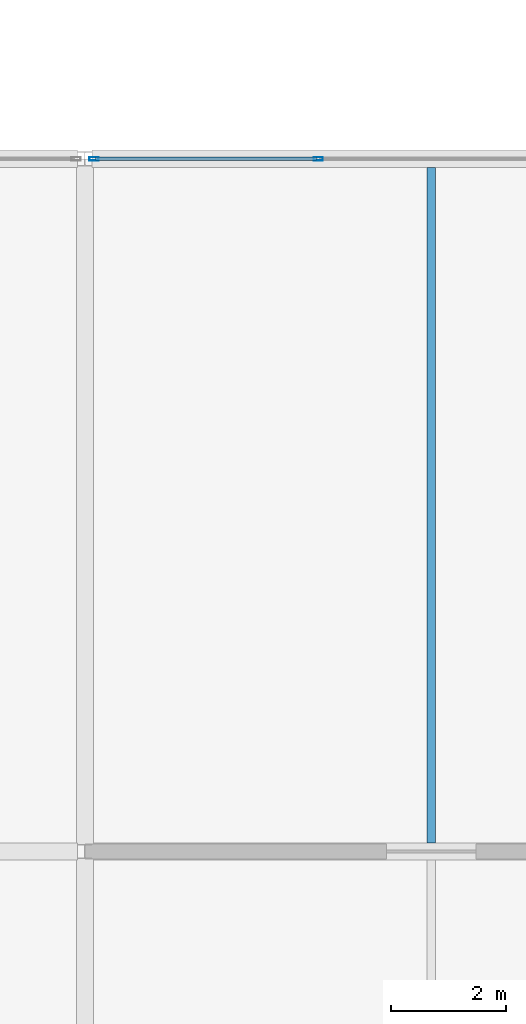
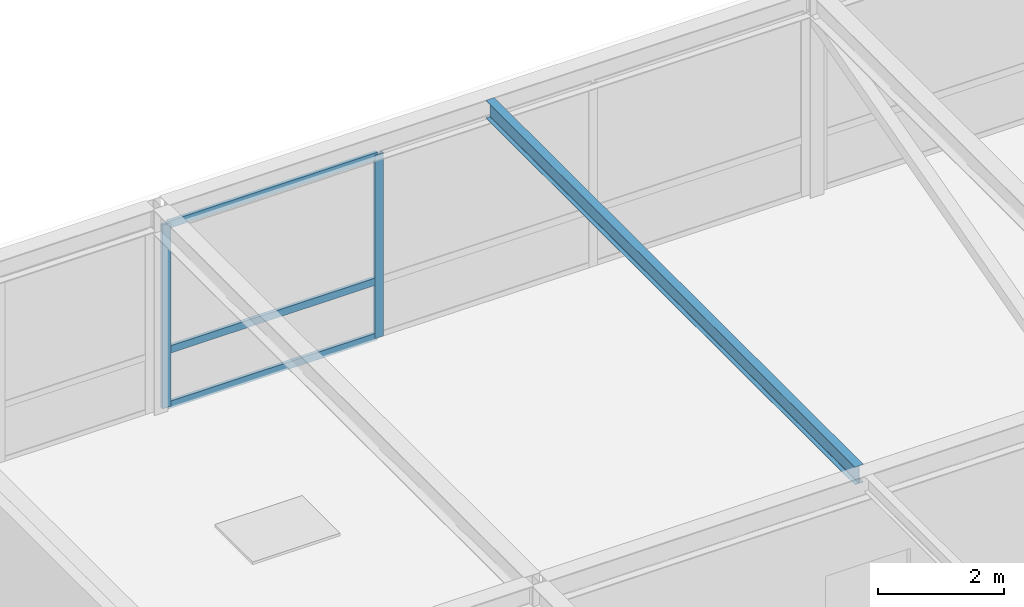
# One storey, part 30 of 111: 5 members, 1 beam, 1 element without a shape of its own.
"""IFC4 building model written with IfcOpenShell, lengths in metres."""

from ifc_helpers import new_model, si_unit, direction, frame, origin, origin_2d, place, context, subcontext, project, spatial, hollow_rectangle, i_section, extrude, material, layer, layer_set, material_profile, profile_set, type_object, element, aggregate, save


model = new_model("IFC4")

# Units and contexts
model_context = context("Model", 3, precision=1e-05, world=origin(), true_north=direction((0.0, 1.0)))
body_context = subcontext(model_context, "Body", "Model", "MODEL_VIEW")
ifc_project = project(units=[si_unit("LENGTHUNIT", "METRE"), si_unit("AREAUNIT", "SQUARE_METRE"), si_unit("VOLUMEUNIT", "CUBIC_METRE"), si_unit("PLANEANGLEUNIT", "RADIAN"), si_unit("MASSUNIT", "GRAM", prefix="KILO")], contexts=[model_context])

# Site, building, storey
site_placement = place(None, origin())
site = spatial("IfcSite", under=ifc_project, at=site_placement, CompositionType="ELEMENT")
building_placement = place(site_placement, origin())
building = spatial("IfcBuilding", under=site, at=building_placement, Name="Zlatovratsky Civic Hall", CompositionType="ELEMENT")
storey_placement = place(building_placement, frame((0.0, 0.0, 16.5)))
storey = spatial("IfcBuildingStorey", under=building, at=storey_placement, Name="L04", CompositionType="ELEMENT", Elevation=16.5)

# Curtain wall, members
ifc_material_1 = material(Name="Anodised bronze aluminium", Category="aluminium")
ifc_layer = layer(ifc_material_1, 0.159912109375)
ifc_layer_set = layer_set([ifc_layer], Name="Anodised bronze aluminium")
curtain_wall_type = type_object("IfcCurtainWallType", Name="CurtainWall_Bronze_11750x3550_17", PredefinedType="NOTDEFINED", material=ifc_layer_set)
curtain_wall_placement = place(storey_placement, origin())
curtain_wall = element("IfcCurtainWall", 1, at=curtain_wall_placement, inside=storey, type_object=curtain_wall_type, Name="CW-094", PredefinedType="NOTDEFINED")
ifc_material_profile_1 = material_profile(ifc_material_1, hollow_rectangle(XDim=0.06005859375, YDim=0.159912109375, WallThickness=0.00390625, at=origin_2d()), Name="ALU 60x160x4")
ifc_profile_set_1 = profile_set([ifc_material_profile_1], Name="Anodised bronze aluminium")
member_type_1 = type_object("IfcMemberType", Name="CW_Mullion_60x160", PredefinedType="MULLION", material=ifc_profile_set_1)
member_1_placement = place(storey_placement, frame((24.155029296875, 30.0, 0.0), z_axis=(0.0, 0.0, 1.0), x_axis=(0.0, 1.0, 0.0)))
member_1 = element("IfcMember", 2, at=member_1_placement, type_object=member_type_1, Name="CW-17 mullion 1", PredefinedType="MULLION", context=body_context, shape_type="SweptSolid", body=[
    extrude(hollow_rectangle(XDim=0.06005859375, YDim=0.159912109375, WallThickness=0.00390625, at=origin_2d()), origin(), (0.0, 0.0, 1.0), 3.550048828125),
])
member_2_placement = place(storey_placement, frame((28.041748046875, 30.0, 0.0), z_axis=(0.0, 0.0, 1.0), x_axis=(0.0, 1.0, 0.0)))
member_2 = element("IfcMember", 3, at=member_2_placement, type_object=member_type_1, Name="CW-17 mullion 2", PredefinedType="MULLION", context=body_context, shape_type="SweptSolid", body=[
    extrude(hollow_rectangle(XDim=0.06005859375, YDim=0.159912109375, WallThickness=0.00390625, at=origin_2d()), origin(), (0.0, 0.0, 1.0), 3.550048828125),
])
ifc_material_profile_2 = material_profile(ifc_material_1, hollow_rectangle(XDim=0.06005859375, YDim=0.139892578125, WallThickness=0.00390625, at=origin_2d()), Name="ALU 60x140x4")
ifc_profile_set_2 = profile_set([ifc_material_profile_2], Name="Anodised bronze aluminium")
member_type_2 = type_object("IfcMemberType", Name="CW_Transom_60x140", PredefinedType="USERDEFINED", material=ifc_profile_set_2)
member_3_placement = place(storey_placement, frame((24.18505859375, 30.0, 0.030029296875), z_axis=(1.0, 0.0, 0.0), x_axis=(0.0, 1.0, 0.0)))
member_3 = element("IfcMember", 4, at=member_3_placement, type_object=member_type_2, Name="CW-17 transom 1.1", ObjectType="TRANSOM", PredefinedType="USERDEFINED", context=body_context, shape_type="SweptSolid", body=[
    extrude(hollow_rectangle(XDim=0.06005859375, YDim=0.139892578125, WallThickness=0.00390625, at=origin_2d()), origin(), (0.0, 0.0, 1.0), 3.82666015625),
])
member_4_placement = place(storey_placement, frame((24.18505859375, 30.0, 1.10009765625), z_axis=(1.0, 0.0, 0.0), x_axis=(0.0, 1.0, 0.0)))
member_4 = element("IfcMember", 5, at=member_4_placement, type_object=member_type_2, Name="CW-17 transom 1.2", ObjectType="TRANSOM", PredefinedType="USERDEFINED", context=body_context, shape_type="SweptSolid", body=[
    extrude(hollow_rectangle(XDim=0.06005859375, YDim=0.139892578125, WallThickness=0.00390625, at=origin_2d()), origin(), (0.0, 0.0, 1.0), 3.82666015625),
])
member_5_placement = place(storey_placement, frame((24.18505859375, 30.0, 3.52001953125), z_axis=(1.0, 0.0, 0.0), x_axis=(0.0, 1.0, 0.0)))
member_5 = element("IfcMember", 6, at=member_5_placement, type_object=member_type_2, Name="CW-17 transom 1.3", ObjectType="TRANSOM", PredefinedType="USERDEFINED", context=body_context, shape_type="SweptSolid", body=[
    extrude(hollow_rectangle(XDim=0.06005859375, YDim=0.139892578125, WallThickness=0.00390625, at=origin_2d()), origin(), (0.0, 0.0, 1.0), 3.82666015625),
])
aggregate(curtain_wall, [member_1, member_2, member_3, member_4, member_5])

# Beam
ifc_material_2 = material(Name="Steel S355", Category="steel")
ifc_material_profile_3 = material_profile(ifc_material_2, i_section(OverallWidth=0.155029296875, OverallDepth=0.345947265625, WebThickness=0.006103515625, FlangeThickness=0.008544921875, FilletRadius=0.013916015625, at=origin_2d()), Name="35B1")
ifc_profile_set_3 = profile_set([ifc_material_profile_3], Name="Steel S355")
beam_type = type_object("IfcBeamType", Name="Joist_Podium_35B1", PredefinedType="JOIST", material=ifc_profile_set_3)
beam_placement = place(storey_placement, frame((30.0, 18.14990234375, 3.826904296875), z_axis=(0.0, 1.0, 0.0), x_axis=(-1.0, 0.0, 0.0)))
element("IfcBeam", 7, at=beam_placement, inside=storey, type_object=beam_type, Name="BM-3842", PredefinedType="JOIST", context=body_context, shape_type="SweptSolid", body=[
    extrude(i_section(OverallWidth=0.155029296875, OverallDepth=0.345947265625, WebThickness=0.006103515625, FlangeThickness=0.008544921875, FilletRadius=0.013916015625, at=origin_2d()), origin(), (0.0, 0.0, 1.0), 11.7001953125),
])

save(model, "model.ifc")
